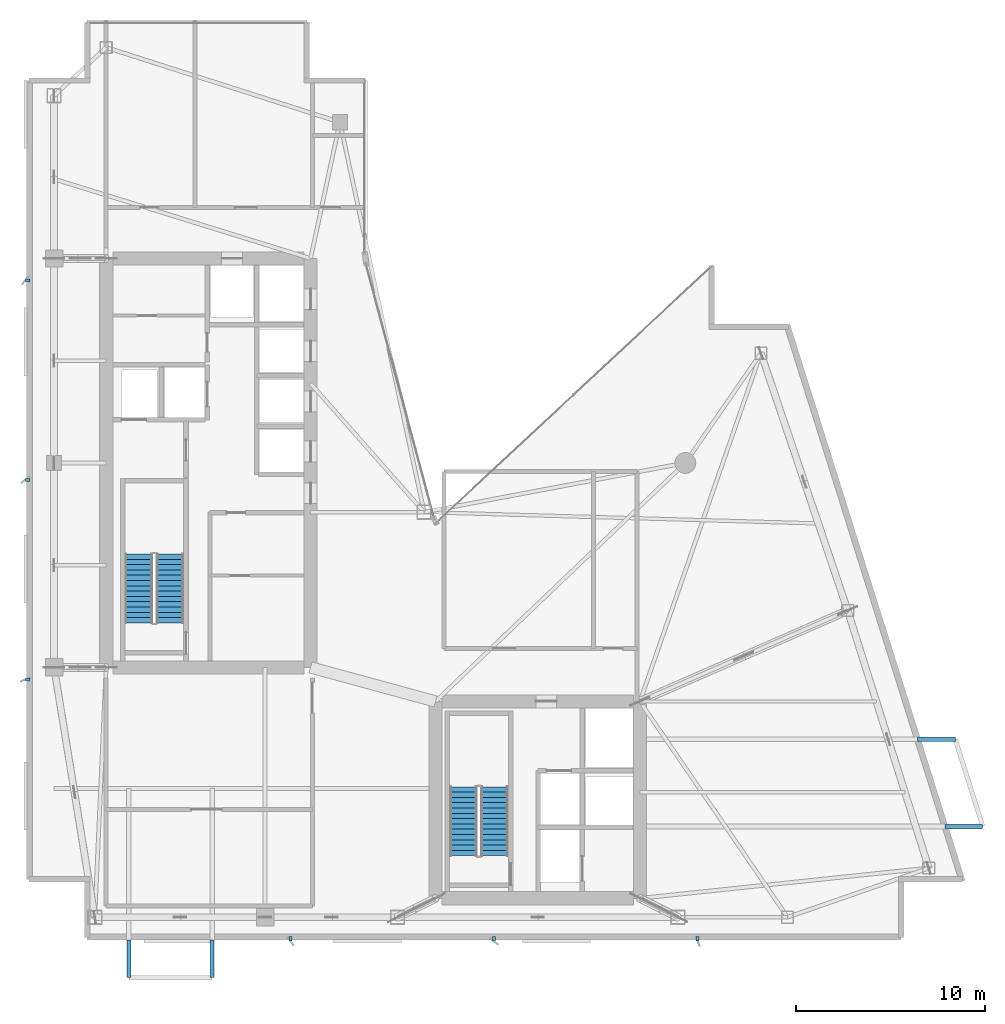
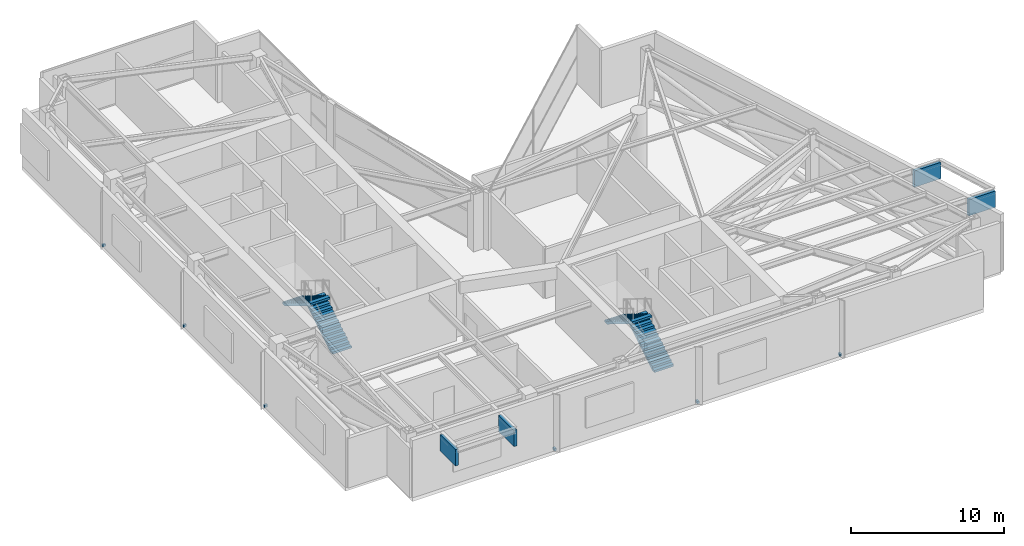
# One storey, part 14 of 16: 10 discrete accessories, 4 stair flights, 2 elements without a shape of their own.
"""IFC4 building model written with IfcOpenShell, lengths in metres."""

import ifcopenshell
import ifcopenshell.guid

model = None  # the IFC model being written
_history = None  # IfcOwnerHistory: only IFC2X3 demands one
_inside = {}  # id of a spatial element -> (the spatial element, [elements in it])
_under = {}  # id of a project, library or spatial element -> (it, [spatial elements below it])
_declared = {}  # id of a project -> (the project, [libraries it declares])
_typed = {}  # id of a type object -> (the type object, [elements of that type])
_made_of = {}  # id of a material, layer set ... -> (it, [elements and type objects made of it])


def new_model(schema):
    """Start an empty IFC model of exactly this schema.

    Asked for "IFC4X3", IfcOpenShell would pick the latest addendum, in which some entities
    have other attributes; the version numbers below select the first issue.
    IFC2X3 requires an IfcOwnerHistory on every rooted entity: one is made here for all.
    """
    global model, _history
    if schema == "IFC4X3":
        model = ifcopenshell.file(schema_version=(4, 3, 0, 0))
    else:
        model = ifcopenshell.file(schema=schema)
    _inside.clear()
    _under.clear()
    _declared.clear()
    _typed.clear()
    _made_of.clear()
    _history = None
    if model.schema == "IFC2X3":
        org = make("IfcOrganization", Name="unknown")
        user = make(
            "IfcPersonAndOrganization",
            ThePerson=make("IfcPerson", FamilyName="unknown"),
            TheOrganization=org,
        )
        app = make(
            "IfcApplication",
            ApplicationDeveloper=org,
            Version="unknown",
            ApplicationFullName="unknown",
            ApplicationIdentifier="unknown",
        )
        _history = make(
            "IfcOwnerHistory",
            OwningUser=user,
            OwningApplication=app,
            ChangeAction="ADDED",
            CreationDate=0,
        )
    return model


def make(cls, **values):
    """One entity of the class cls with the attributes given. An attribute that is None is left unset."""
    return model.create_entity(
        cls, **{name: value for name, value in values.items() if value is not None}
    )


def rooted(cls, **values):
    """An entity with a GlobalId (a new one), such as an element, a storey or a relation."""
    return make(cls, GlobalId=ifcopenshell.guid.new(), OwnerHistory=_history, **values)


def si_unit(unit_type, name, prefix=None):
    """IfcSIUnit, for example si_unit("LENGTHUNIT", "METRE", prefix="MILLI")."""
    return make("IfcSIUnit", UnitType=unit_type, Prefix=prefix, Name=name)


def assignment(units):
    """IfcUnitAssignment: the units of a project."""
    return None if units is None else make("IfcUnitAssignment", Units=units)


def point(xyz):
    """IfcCartesianPoint."""
    return None if xyz is None else make("IfcCartesianPoint", Coordinates=xyz)


def direction(xyz):
    """IfcDirection."""
    return None if xyz is None else make("IfcDirection", DirectionRatios=xyz)


def frame(location, z_axis=None, x_axis=None):
    """IfcAxis2Placement3D, a coordinate frame: its origin and axes. An axis left out is left unset."""
    return make(
        "IfcAxis2Placement3D",
        Location=point(location),
        Axis=direction(z_axis),
        RefDirection=direction(x_axis),
    )


def frame_2d(location, x_axis=None):
    """IfcAxis2Placement2D, a coordinate frame in the plane: its origin and x axis."""
    return make(
        "IfcAxis2Placement2D", Location=point(location), RefDirection=direction(x_axis)
    )


def origin():
    """The frame at (0, 0, 0) with its axes left unset."""
    return frame((0.0, 0.0, 0.0))


def origin_2d():
    """The frame at (0, 0) in the plane with its x axis left unset."""
    return frame_2d((0.0, 0.0))


def place(relative_to, where):
    """IfcLocalPlacement: puts the frame where relative to a parent placement (None: the world)."""
    return make(
        "IfcLocalPlacement", PlacementRelTo=relative_to, RelativePlacement=where
    )


def context(
    kind, dimensions, precision=None, world=None, true_north=None, identifier=None
):
    """IfcGeometricRepresentationContext, for example the 3D "Model" context."""
    return make(
        "IfcGeometricRepresentationContext",
        ContextIdentifier=identifier,
        ContextType=kind,
        CoordinateSpaceDimension=dimensions,
        Precision=precision,
        WorldCoordinateSystem=world,
        TrueNorth=true_north,
    )


def subcontext(parent, identifier, kind, view, scale=None):
    """IfcGeometricRepresentationSubContext, for example "Body" below "Model"."""
    return make(
        "IfcGeometricRepresentationSubContext",
        ContextIdentifier=identifier,
        ContextType=kind,
        ParentContext=parent,
        TargetScale=scale,
        TargetView=view,
    )


def project(units=None, contexts=None):
    """IfcProject with its units and contexts."""
    return rooted(
        "IfcProject",
        Name="project",
        RepresentationContexts=contexts,
        UnitsInContext=assignment(units),
    )


def spatial(cls, under=None, at=None, **own):
    """A site, building, storey or space (cls), placed at a placement, below another one or the project."""
    s = rooted(cls, ObjectPlacement=at, **own)
    if under is not None:
        _under.setdefault(under.id(), (under, []))[1].append(s)
    return s


def polyline(points):
    """IfcPolyline through the points."""
    return make("IfcPolyline", Points=[point(p) for p in points])


def profile(cls, at=None, kind="AREA", **sizes):
    """A parametric profile (cls). Its sizes go by their IFC names, for example OverallWidth=200.0."""
    return make(cls, ProfileType=kind, Position=at, **sizes)


def rectangle(**sizes):
    """IfcRectangleProfileDef."""
    return profile("IfcRectangleProfileDef", **sizes)


def outline(outer, holes=None, kind="AREA"):
    """IfcArbitraryClosedProfileDef: a profile drawn as a closed curve; with holes, ...WithVoids."""
    if holes is None:
        return make("IfcArbitraryClosedProfileDef", ProfileType=kind, OuterCurve=outer)
    return make(
        "IfcArbitraryProfileDefWithVoids",
        ProfileType=kind,
        OuterCurve=outer,
        InnerCurves=holes,
    )


def extrude(swept, where, along, depth):
    """IfcExtrudedAreaSolid: the profile swept, set in the frame where, extruded along a direction by depth."""
    return make(
        "IfcExtrudedAreaSolid",
        SweptArea=swept,
        Position=where,
        ExtrudedDirection=direction(along),
        Depth=depth,
    )


def shape(context_of_items, identifier, shape_type, items):
    """IfcShapeRepresentation: the items that make up one representation, for example the "Body"."""
    return make(
        "IfcShapeRepresentation",
        ContextOfItems=context_of_items,
        RepresentationIdentifier=identifier,
        RepresentationType=shape_type,
        Items=items,
    )


def material(Name=None, Category=None):
    """IfcMaterial."""
    return make("IfcMaterial", Name=Name, Category=Category)


def made_of(thing, what):
    """Note that an element or type object is made of a material, layer set ...; save() writes the relation."""
    if what is not None:
        _made_of.setdefault(what.id(), (what, []))[1].append(thing)
    return thing


def type_object(cls, material=None, **own):
    """A type object (cls), such as IfcWallType, which elements share."""
    return made_of(rooted(cls, **own), material)


def element(
    cls,
    number,
    at=None,
    inside=None,
    cuts=None,
    type_object=None,
    material=None,
    context=None,
    identifier="Body",
    shape_type=None,
    held_by="IfcProductDefinitionShape",
    body=None,
    shapes=None,
    **own,
):
    """One element of the class cls, such as IfcWall. Its Tag is "e" and its number.

    at: its placement. inside: the storey or other place that contains it. cuts: it is an
    opening in that element (IfcRelVoidsElement). A single representation is given by context,
    identifier, shape_type and body (its items); several are given by shapes. held_by: the class
    of the entity that holds the representations. save() writes the other relations.
    """
    e = rooted(cls, Tag="e%d" % number, ObjectPlacement=at, **own)
    if body is not None:
        shapes = [shape(context, identifier, shape_type, body)]
    if shapes is not None:
        e.Representation = make(held_by, Representations=shapes)
    if inside is not None:
        _inside.setdefault(inside.id(), (inside, []))[1].append(e)
    if cuts is not None:
        rooted(
            "IfcRelVoidsElement", RelatingBuildingElement=cuts, RelatedOpeningElement=e
        )
    if type_object is not None:
        _typed.setdefault(type_object.id(), (type_object, []))[1].append(e)
    return made_of(e, material)


def aggregate(whole, parts):
    """IfcRelAggregates: a whole, such as a stair, and the parts it consists of."""
    return rooted("IfcRelAggregates", RelatingObject=whole, RelatedObjects=parts)


def save(model, path):
    """Write the relations noted so far, then the file.

    IfcRelAggregates (storeys below a building ...), IfcRelContainedInSpatialStructure (elements
    in a storey), IfcRelDefinesByType, IfcRelAssociatesMaterial and IfcRelDeclares: one each for
    every whole, place, type object, material and project.
    """
    for whole, parts in _under.values():
        aggregate(whole, parts)
    for where, things in _inside.values():
        rooted(
            "IfcRelContainedInSpatialStructure",
            RelatedElements=things,
            RelatingStructure=where,
        )
    for kind, things in _typed.values():
        rooted("IfcRelDefinesByType", RelatedObjects=things, RelatingType=kind)
    for what, things in _made_of.values():
        rooted("IfcRelAssociatesMaterial", RelatedObjects=things, RelatingMaterial=what)
    for by, libraries in _declared.values():
        rooted("IfcRelDeclares", RelatingContext=by, RelatedDefinitions=libraries)
    model.write(path)


model = new_model("IFC4")

# Units and contexts
model_context = context("Model", 3, precision=1e-05, world=origin(), true_north=direction((0.0, 1.0)))
body_context = subcontext(model_context, "Body", "Model", "MODEL_VIEW")
ifc_project = project(units=[si_unit("LENGTHUNIT", "METRE"), si_unit("AREAUNIT", "SQUARE_METRE"), si_unit("VOLUMEUNIT", "CUBIC_METRE"), si_unit("PLANEANGLEUNIT", "RADIAN"), si_unit("MASSUNIT", "GRAM", prefix="KILO")], contexts=[model_context])

# Site, building, storey
site_placement = place(None, origin())
site = spatial("IfcSite", under=ifc_project, at=site_placement, CompositionType="ELEMENT")
building_placement = place(site_placement, origin())
building = spatial("IfcBuilding", under=site, at=building_placement, Name="Calvorn Quay Hotel", CompositionType="ELEMENT")
storey_placement = place(building_placement, frame((0.0, 0.0, 234.5)))
storey = spatial("IfcBuildingStorey", under=building, at=storey_placement, Name="L58", CompositionType="ELEMENT", Elevation=234.5)

# Stair, stair flights
ifc_material_1 = material(Name="Concrete C40", Category="concrete")
stair_type = type_object("IfcStairType", Name="STR-CORE-DOGLEG", PredefinedType="HALF_TURN_STAIR", material=ifc_material_1)
stair_1_placement = place(storey_placement, origin())
stair_1 = element("IfcStair", 1, at=stair_1_placement, inside=storey, type_object=stair_type, Name="L58 ST-W", PredefinedType="HALF_TURN_STAIR")
ifc_material_2 = material(Name="Concrete C40", Category="concrete")
stair_flight_type = type_object("IfcStairFlightType", Name="FLT-CORE-1550", PredefinedType="STRAIGHT", material=ifc_material_2)
stair_flight_1_placement = place(storey_placement, frame((7.574951171875, 19.14990234375, 0.0), z_axis=(0.0, 0.0, 1.0), x_axis=(0.0, 1.0, 0.0)))
stair_flight_1 = element("IfcStairFlight", 2, at=stair_flight_1_placement, type_object=stair_flight_type, Name="ST-W flight 1", NumberOfRisers=14, NumberOfTreads=13, PredefinedType="STRAIGHT", RiserHeight=0.171428571, TreadLength=0.28, context=body_context, shape_type="SweptSolid", body=[
    extrude(outline(polyline([(0.0, 0.0), (0.0, 0.17138671875), (0.280029296875, 0.17138671875), (0.280029296875, 0.3427734375), (0.56005859375, 0.3427734375), (0.56005859375, 0.514404296875), (0.840087890625, 0.514404296875), (0.840087890625, 0.685791015625), (1.1201171875, 0.685791015625), (1.1201171875, 0.857177734375), (1.39990234375, 0.857177734375), (1.39990234375, 1.028564453125), (1.679931640625, 1.028564453125), (1.679931640625, 1.199951171875), (1.9599609375, 1.199951171875), (1.9599609375, 1.371337890625), (2.239990234375, 1.371337890625), (2.239990234375, 1.54296875), (2.52001953125, 1.54296875), (2.52001953125, 1.71435546875), (2.800048828125, 1.71435546875), (2.800048828125, 1.8857421875), (3.080078125, 1.8857421875), (3.080078125, 2.05712890625), (3.360107421875, 2.05712890625), (3.360107421875, 2.228515625), (3.639892578125, 2.228515625), (3.639892578125, 2.39990234375), (3.639892578125, 2.052734375), (0.287109375, 0.0), (0.0, 0.0)])), frame((0.0, 0.72509765625, 0.0), z_axis=(0.0, -1.0, 0.0), x_axis=(1.0, 0.0, 0.0)), (0.0, 0.0, 1.0), 1.449951171875),
])
stair_flight_2_placement = place(storey_placement, frame((5.925048828125, 22.7900390625, 2.39990234375), z_axis=(0.0, 0.0, 1.0), x_axis=(0.0, -1.0, 0.0)))
stair_flight_2 = element("IfcStairFlight", 3, at=stair_flight_2_placement, type_object=stair_flight_type, Name="ST-W flight 2", NumberOfRisers=14, NumberOfTreads=13, PredefinedType="STRAIGHT", RiserHeight=0.171428571, TreadLength=0.28, context=body_context, shape_type="SweptSolid", body=[
    extrude(outline(polyline([(0.0, 0.0), (0.0, 0.17138671875), (0.280029296875, 0.17138671875), (0.280029296875, 0.3427734375), (0.56005859375, 0.3427734375), (0.56005859375, 0.514404296875), (0.840087890625, 0.514404296875), (0.840087890625, 0.685791015625), (1.1201171875, 0.685791015625), (1.1201171875, 0.857177734375), (1.39990234375, 0.857177734375), (1.39990234375, 1.028564453125), (1.679931640625, 1.028564453125), (1.679931640625, 1.199951171875), (1.9599609375, 1.199951171875), (1.9599609375, 1.371337890625), (2.239990234375, 1.371337890625), (2.239990234375, 1.54296875), (2.52001953125, 1.54296875), (2.52001953125, 1.71435546875), (2.800048828125, 1.71435546875), (2.800048828125, 1.8857421875), (3.080078125, 1.8857421875), (3.080078125, 2.05712890625), (3.360107421875, 2.05712890625), (3.360107421875, 2.228515625), (3.639892578125, 2.228515625), (3.639892578125, 2.39990234375), (3.639892578125, 2.052734375), (0.287109375, 0.0), (0.0, 0.0)])), frame((0.0, 0.72509765625, 0.0), z_axis=(0.0, -1.0, 0.0), x_axis=(1.0, 0.0, 0.0)), (0.0, 0.0, 1.0), 1.449951171875),
])
aggregate(stair_1, [stair_flight_1, stair_flight_2])

stair_2_placement = place(storey_placement, origin())
stair_2 = element("IfcStair", 4, at=stair_2_placement, inside=storey, type_object=stair_type, Name="L58 ST-E", PredefinedType="HALF_TURN_STAIR")
stair_flight_3_placement = place(storey_placement, frame((24.72509765625, 6.85009765625, 0.0), z_axis=(0.0, 0.0, 1.0), x_axis=(0.0, 1.0, 0.0)))
stair_flight_3 = element("IfcStairFlight", 5, at=stair_flight_3_placement, type_object=stair_flight_type, Name="ST-E flight 1", NumberOfRisers=14, NumberOfTreads=13, PredefinedType="STRAIGHT", RiserHeight=0.171428571, TreadLength=0.28, context=body_context, shape_type="SweptSolid", body=[
    extrude(outline(polyline([(0.0, 0.0), (0.0, 0.17138671875), (0.280029296875, 0.17138671875), (0.280029296875, 0.3427734375), (0.56005859375, 0.3427734375), (0.56005859375, 0.514404296875), (0.840087890625, 0.514404296875), (0.840087890625, 0.685791015625), (1.1201171875, 0.685791015625), (1.1201171875, 0.857177734375), (1.39990234375, 0.857177734375), (1.39990234375, 1.028564453125), (1.679931640625, 1.028564453125), (1.679931640625, 1.199951171875), (1.9599609375, 1.199951171875), (1.9599609375, 1.371337890625), (2.239990234375, 1.371337890625), (2.239990234375, 1.54296875), (2.52001953125, 1.54296875), (2.52001953125, 1.71435546875), (2.800048828125, 1.71435546875), (2.800048828125, 1.8857421875), (3.080078125, 1.8857421875), (3.080078125, 2.05712890625), (3.360107421875, 2.05712890625), (3.360107421875, 2.228515625), (3.639892578125, 2.228515625), (3.639892578125, 2.39990234375), (3.639892578125, 2.052734375), (0.287109375, 0.0), (0.0, 0.0)])), frame((0.0, 0.72509765625, 0.0), z_axis=(0.0, -1.0, 0.0), x_axis=(1.0, 0.0, 0.0)), (0.0, 0.0, 1.0), 1.449951171875),
])
stair_flight_4_placement = place(storey_placement, frame((23.074951171875, 10.489990234375, 2.39990234375), z_axis=(0.0, 0.0, 1.0), x_axis=(0.0, -1.0, 0.0)))
stair_flight_4 = element("IfcStairFlight", 6, at=stair_flight_4_placement, type_object=stair_flight_type, Name="ST-E flight 2", NumberOfRisers=14, NumberOfTreads=13, PredefinedType="STRAIGHT", RiserHeight=0.171428571, TreadLength=0.28, context=body_context, shape_type="SweptSolid", body=[
    extrude(outline(polyline([(0.0, 0.0), (0.0, 0.17138671875), (0.280029296875, 0.17138671875), (0.280029296875, 0.3427734375), (0.56005859375, 0.3427734375), (0.56005859375, 0.514404296875), (0.840087890625, 0.514404296875), (0.840087890625, 0.685791015625), (1.1201171875, 0.685791015625), (1.1201171875, 0.857177734375), (1.39990234375, 0.857177734375), (1.39990234375, 1.028564453125), (1.679931640625, 1.028564453125), (1.679931640625, 1.199951171875), (1.9599609375, 1.199951171875), (1.9599609375, 1.371337890625), (2.239990234375, 1.371337890625), (2.239990234375, 1.54296875), (2.52001953125, 1.54296875), (2.52001953125, 1.71435546875), (2.800048828125, 1.71435546875), (2.800048828125, 1.8857421875), (3.080078125, 1.8857421875), (3.080078125, 2.05712890625), (3.360107421875, 2.05712890625), (3.360107421875, 2.228515625), (3.639892578125, 2.228515625), (3.639892578125, 2.39990234375), (3.639892578125, 2.052734375), (0.287109375, 0.0), (0.0, 0.0)])), frame((0.0, 0.72509765625, 0.0), z_axis=(0.0, -1.0, 0.0), x_axis=(1.0, 0.0, 0.0)), (0.0, 0.0, 1.0), 1.449951171875),
])
aggregate(stair_2, [stair_flight_3, stair_flight_4])

# Discrete accessories
ifc_material_3 = material(Name="Steel Q355B", Category="steel")
discrete_accessory_type_1 = type_object("IfcDiscreteAccessoryType", Name="ACC-BALC-STRUT", PredefinedType="BRACKET", material=ifc_material_3)
for number, where, z_axis, x_axis, name in (
    (7, (49.512939453125, 8.39990234375, 3.01513671875), (0.0, 0.0, 1.0), (1.0, 0.0, 0.0), "Exterior Balcony Steel Bracket L59-BALC-E-A"),
    (8, (48.06298828125, 13.0, 3.01513671875), (0.0, 0.0, 1.0), (1.0, 0.0, 0.0), "Exterior Balcony Steel Bracket L59-BALC-E-B"),
):
    element("IfcDiscreteAccessory", number, at=place(storey_placement, frame(where, z_axis=z_axis, x_axis=x_axis)), inside=storey, type_object=discrete_accessory_type_1, Name=name, PredefinedType="BRACKET", context=body_context, shape_type="SweptSolid", body=[
        extrude(rectangle(XDim=1.989990234375, YDim=0.219970703125, at=origin_2d()), origin(), (0.0, 0.0, 1.0), 1.300048828125),
    ])
for number, where, z_axis, x_axis, name in (
    (9, (5.39990234375, 1.405029296875, 3.01513671875), (0.0, 0.0, 1.0), (1.0, 0.0, 0.0), "Exterior Balcony Steel Bracket L59-BALC-S-A"),
    (10, (9.800048828125, 1.405029296875, 3.01513671875), (0.0, 0.0, 1.0), (1.0, 0.0, 0.0), "Exterior Balcony Steel Bracket L59-BALC-S-B"),
):
    element("IfcDiscreteAccessory", number, at=place(storey_placement, frame(where, z_axis=z_axis, x_axis=x_axis)), inside=storey, type_object=discrete_accessory_type_1, Name=name, PredefinedType="BRACKET", context=body_context, shape_type="SweptSolid", body=[
        extrude(rectangle(XDim=0.219970703125, YDim=1.989990234375, at=origin_2d()), origin(), (0.0, 0.0, 1.0), 1.300048828125),
    ])
ifc_material_4 = material(Name="Steel Q355B", Category="steel")
discrete_accessory_type_2 = type_object("IfcDiscreteAccessoryType", Name="ACC-FIN-BRACKET", PredefinedType="BRACKET", material=ifc_material_4)
for number, where, z_axis, x_axis, name in (
    (11, (0.06005859375, 16.14990234375, 0.0302734375), (0.0, 0.0, 1.0), (1.0, 0.0, 0.0), "Fin Anchor Bracket L58-W01"),
    (12, (0.06005859375, 26.699951171875, 0.0302734375), (0.0, 0.0, 1.0), (1.0, 0.0, 0.0), "Fin Anchor Bracket L58-W02"),
    (13, (0.06005859375, 37.25, 0.0302734375), (0.0, 0.0, 1.0), (1.0, 0.0, 0.0), "Fin Anchor Bracket L58-W03"),
    (14, (13.949951171875, 2.4599609375, 0.0302734375), (0.0, 0.0, 1.0), (0.0, 1.0, 0.0), "Fin Anchor Bracket L58-S01"),
    (15, (24.699951171875, 2.4599609375, 0.0302734375), (0.0, 0.0, 1.0), (0.0, 1.0, 0.0), "Fin Anchor Bracket L58-S02"),
    (16, (35.449951171875, 2.4599609375, 0.0302734375), (0.0, 0.0, 1.0), (0.0, 1.0, 0.0), "Fin Anchor Bracket L58-S03"),
):
    element("IfcDiscreteAccessory", number, at=place(storey_placement, frame(where, z_axis=z_axis, x_axis=x_axis)), inside=storey, type_object=discrete_accessory_type_2, Name=name, PredefinedType="BRACKET", context=body_context, shape_type="SweptSolid", body=[
        extrude(rectangle(XDim=0.239990234375, YDim=0.159912109375, at=origin_2d()), origin(), (0.0, 0.0, 1.0), 0.179931640625),
    ])

save(model, "model.ifc")
